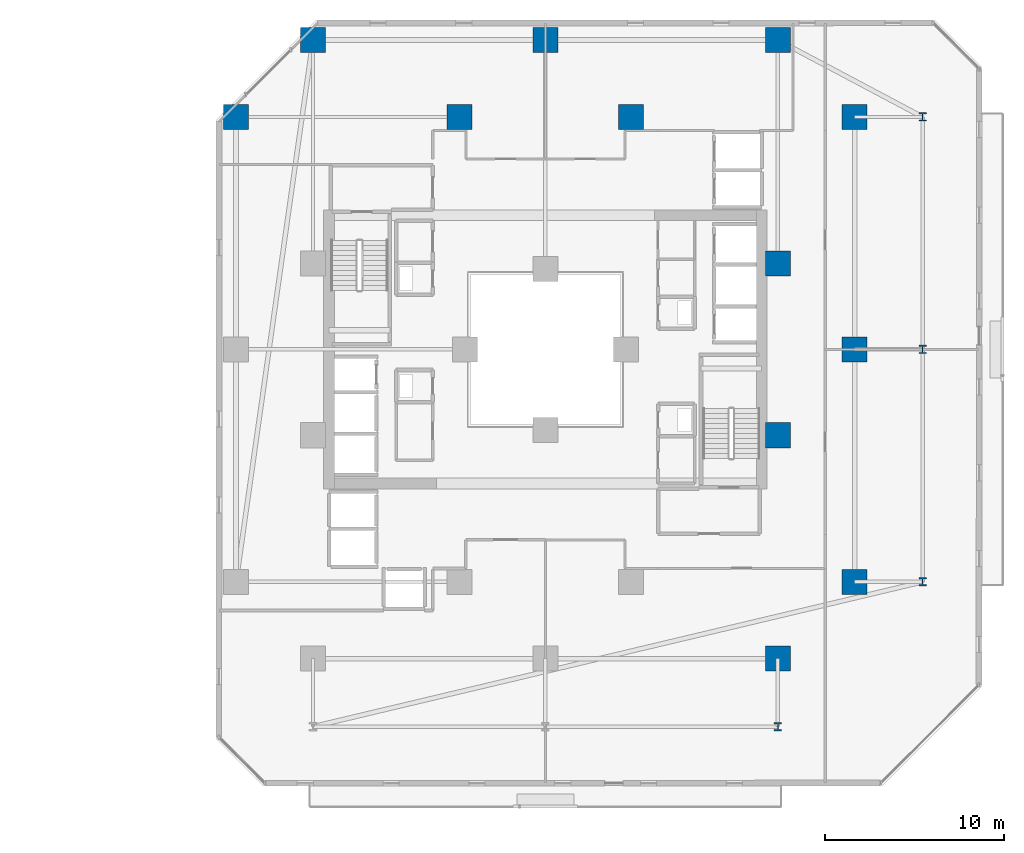
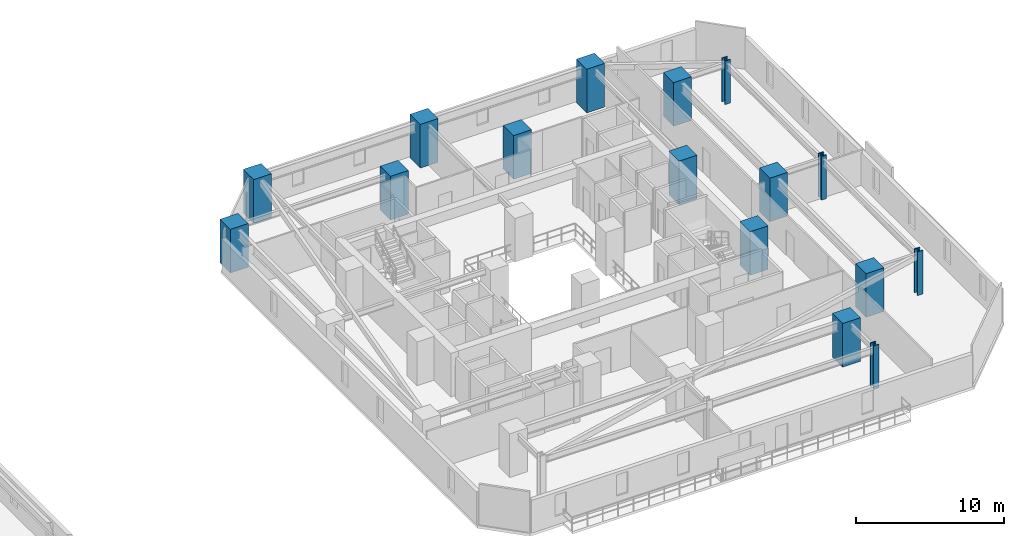
# One storey, part 2 of 33: 16 columns.
"""IFC4 building model written with IfcOpenShell, lengths in metres."""

from ifc_helpers import new_model, si_unit, direction, frame, origin, origin_2d, place, context, subcontext, project, spatial, rectangle, i_section, extrude, material, material_profile, profile_set, type_object, element, save


model = new_model("IFC4")

# Units and contexts
model_context = context("Model", 3, precision=1e-05, world=origin(), true_north=direction((0.0, 1.0)))
body_context = subcontext(model_context, "Body", "Model", "MODEL_VIEW")
ifc_project = project(units=[si_unit("LENGTHUNIT", "METRE"), si_unit("AREAUNIT", "SQUARE_METRE"), si_unit("VOLUMEUNIT", "CUBIC_METRE"), si_unit("PLANEANGLEUNIT", "RADIAN"), si_unit("MASSUNIT", "GRAM", prefix="KILO")], contexts=[model_context])

# Site, building, storey
site_placement = place(None, origin())
site = spatial("IfcSite", under=ifc_project, at=site_placement, CompositionType="ELEMENT")
building_placement = place(site_placement, origin())
building = spatial("IfcBuilding", under=site, at=building_placement, Name="Thornwick Lancets Civic Towers", CompositionType="ELEMENT")
storey_placement = place(building_placement, frame((0.0, 0.0, 35.10009765625)))
storey = spatial("IfcBuildingStorey", under=building, at=storey_placement, Name="L08", CompositionType="ELEMENT", Elevation=35.10009765625)

# Columns
ifc_material_1 = material(Name="Concrete C60/75", Category="concrete")
ifc_material_profile_1 = material_profile(ifc_material_1, rectangle(XDim=1.39990234375, YDim=1.39990234375, at=origin_2d()), Name="RC 1400x1400")
ifc_profile_set_1 = profile_set([ifc_material_profile_1], Name="Concrete C60/75")
column_type_1 = type_object("IfcColumnType", Name="COL_RC_1400", PredefinedType="COLUMN", material=ifc_profile_set_1)
for number, where, z_axis, x_axis, name in (
    (1, (105.800048828125, 14.0, 0.0), (0.0, 0.0, 1.0), (1.0, 0.0, 0.0), "L08 Spine Mega-Column B01"),
    (2, (105.800048828125, 27.0, 0.0), (0.0, 0.0, 1.0), (1.0, 0.0, 0.0), "L08 Spine Mega-Column B02"),
    (3, (105.800048828125, 40.0, 0.0), (0.0, 0.0, 1.0), (1.0, 0.0, 0.0), "L08 Spine Mega-Column B03"),
    (4, (101.5, 44.300048828125, 0.0), (0.0, 0.0, 1.0), (1.0, 0.0, 0.0), "L08 Spine Mega-Column B04"),
    (5, (88.5, 44.300048828125, 0.0), (0.0, 0.0, 1.0), (1.0, 0.0, 0.0), "L08 Spine Mega-Column B05"),
    (6, (75.5, 44.300048828125, 0.0), (0.0, 0.0, 1.0), (1.0, 0.0, 0.0), "L08 Spine Mega-Column B06"),
    (7, (71.199951171875, 40.0, 0.0), (0.0, 0.0, 1.0), (1.0, 0.0, 0.0), "L08 Spine Mega-Column B09"),
    (8, (101.5, 9.699951171875, 0.0), (0.0, 0.0, 1.0), (1.0, 0.0, 0.0), "L08 Spine Mega-Column B10"),
    (9, (93.300048828125, 40.0, 0.0), (0.0, 0.0, 1.0), (1.0, 0.0, 0.0), "L08 Spine Mega-Column B14"),
    (10, (83.699951171875, 40.0, 0.0), (0.0, 0.0, 1.0), (1.0, 0.0, 0.0), "L08 Spine Mega-Column B16"),
    (11, (101.5, 22.199951171875, 0.0), (0.0, 0.0, 1.0), (1.0, 0.0, 0.0), "L08 Spine Mega-Column B17"),
    (12, (101.5, 31.800048828125, 0.0), (0.0, 0.0, 1.0), (1.0, 0.0, 0.0), "L08 Spine Mega-Column B18"),
):
    element("IfcColumn", number, at=place(storey_placement, frame(where, z_axis=z_axis, x_axis=x_axis)), inside=storey, type_object=column_type_1, Name=name, PredefinedType="COLUMN", context=body_context, shape_type="SweptSolid", body=[
        extrude(rectangle(XDim=1.39990234375, YDim=1.39990234375, at=origin_2d()), origin(), (0.0, 0.0, 1.0), 3.599853515625),
    ])
ifc_material_2 = material(Name="Steel S460M", Category="steel")
ifc_material_profile_2 = material_profile(ifc_material_2, i_section(OverallWidth=0.424072265625, OverallDepth=0.474609375, WebThickness=0.047607421875, FlangeThickness=0.076904296875, FilletRadius=0.01513671875, at=origin_2d()), Name="UKC 356x406x634")
ifc_profile_set_2 = profile_set([ifc_material_profile_2], Name="Steel S460M")
column_type_2 = type_object("IfcColumnType", Name="COL_UKC_634", PredefinedType="COLUMN", material=ifc_profile_set_2)
for number, where, z_axis, x_axis, name in (
    (13, (109.60009765625, 14.0, 0.0), (0.0, 0.0, 1.0), (1.0, 0.0, 0.0), "L08 Block Perimeter Column B01"),
    (14, (109.60009765625, 27.0, 0.0), (0.0, 0.0, 1.0), (1.0, 0.0, 0.0), "L08 Block Perimeter Column B02"),
    (15, (109.60009765625, 40.0, 0.0), (0.0, 0.0, 1.0), (1.0, 0.0, 0.0), "L08 Block Perimeter Column B03"),
    (16, (101.5, 5.89990234375, 0.0), (0.0, 0.0, 1.0), (1.0, 0.0, 0.0), "L08 Block Perimeter Column B10"),
):
    element("IfcColumn", number, at=place(storey_placement, frame(where, z_axis=z_axis, x_axis=x_axis)), inside=storey, type_object=column_type_2, Name=name, PredefinedType="COLUMN", context=body_context, shape_type="SweptSolid", body=[
        extrude(i_section(OverallWidth=0.424072265625, OverallDepth=0.474609375, WebThickness=0.047607421875, FlangeThickness=0.076904296875, FilletRadius=0.01513671875, at=origin_2d()), origin(), (0.0, 0.0, 1.0), 3.599853515625),
    ])

save(model, "model.ifc")
